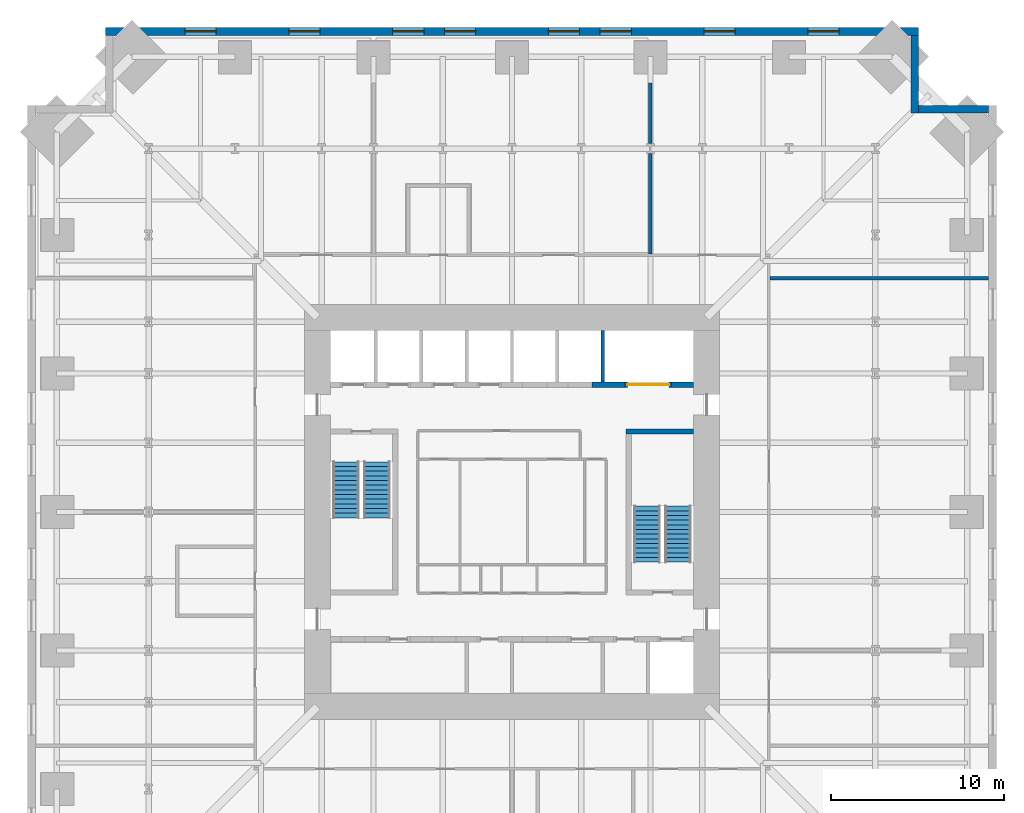
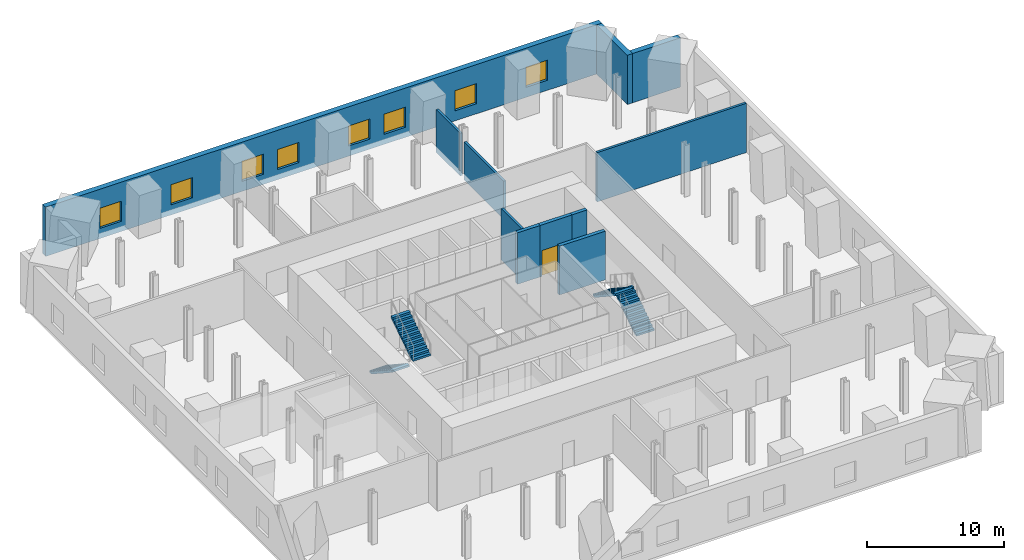
# One storey, part 7 of 8: 11 walls, 8 windows, 4 stair flights, 1 door, 9 openings, 2 elements without a shape of their own.
"""IFC4 building model written with IfcOpenShell, lengths in metres."""

from ifc_helpers import new_model, si_unit, direction, frame, frame_2d, origin, place, context, subcontext, project, spatial, polyline, rectangle, outline, extrude, material, layer, layer_set, type_object, element, fill, aggregate, save


model = new_model("IFC4")

# Units and contexts
model_context = context("Model", 3, precision=1e-05, world=origin(), true_north=direction((0.0, 1.0)))
body_context = subcontext(model_context, "Body", "Model", "MODEL_VIEW")
ifc_project = project(units=[si_unit("LENGTHUNIT", "METRE"), si_unit("AREAUNIT", "SQUARE_METRE"), si_unit("VOLUMEUNIT", "CUBIC_METRE"), si_unit("PLANEANGLEUNIT", "RADIAN"), si_unit("MASSUNIT", "GRAM", prefix="KILO")], contexts=[model_context])

# Site, building, storey
site_placement = place(None, origin())
site = spatial("IfcSite", under=ifc_project, at=site_placement, CompositionType="ELEMENT")
building_placement = place(site_placement, origin())
building = spatial("IfcBuilding", under=site, at=building_placement, Name="Peilmerk Tower", CompositionType="ELEMENT")
storey_placement = place(building_placement, frame((0.0, 0.0, 113.60009765625)))
storey = spatial("IfcBuildingStorey", under=building, at=storey_placement, Name="L22", CompositionType="ELEMENT", Elevation=113.60009765625)

# Wall, openings, windows
ifc_material_1 = material(Name="Precast concrete C45/55, board-marked finish", Category="concrete")
ifc_layer_1 = layer(ifc_material_1, 0.449951171875)
ifc_layer_set_1 = layer_set([ifc_layer_1], Name="Precast concrete C45/55, board-marked finish")
wall_type_1 = type_object("IfcWallType", Name="EW1 450 precast concrete facade wall, board-marked", PredefinedType="SOLIDWALL", material=ifc_layer_set_1)
wall_1_placement = place(storey_placement, frame((23.5, 27.77490234375, 0.0), z_axis=(0.0, 0.0, 1.0), x_axis=(-1.0, 0.0, 0.0)))
wall_1 = element("IfcWall", 1, at=wall_1_placement, inside=storey, type_object=wall_type_1, Name="Facade wall N L22", PredefinedType="SOLIDWALL", context=body_context, shape_type="SweptSolid", body=[
    extrude(rectangle(XDim=47.0, YDim=0.449951171875, at=frame_2d((23.5, 0.0))), origin(), (0.0, 0.0, 1.0), 4.39990234375),
])
opening_1_placement = place(wall_1_placement, frame((4.60009765625, 0.0, 0.89990234375)))
opening_1 = element("IfcOpeningElement", 2, at=opening_1_placement, cuts=wall_1, Name="Opening W3", PredefinedType="OPENING", context=body_context, shape_type="SweptSolid", body=[
    extrude(rectangle(XDim=1.800048828125, YDim=1.800048828125, at=frame_2d((0.89990234375, 0.89990234375))), frame((0.0, 0.23486328125, 0.0), z_axis=(0.0, -1.0, 0.0), x_axis=(1.0, 0.0, 0.0)), (0.0, 0.0, 1.0), 0.469970703125),
])
opening_2_placement = place(wall_1_placement, frame((10.60009765625, 0.0, 0.89990234375)))
opening_2 = element("IfcOpeningElement", 3, at=opening_2_placement, cuts=wall_1, Name="Opening W3", PredefinedType="OPENING", context=body_context, shape_type="SweptSolid", body=[
    extrude(rectangle(XDim=1.800048828125, YDim=1.800048828125, at=frame_2d((0.89990234375, 0.89990234375))), frame((0.0, 0.23486328125, 0.0), z_axis=(0.0, -1.0, 0.0), x_axis=(1.0, 0.0, 0.0)), (0.0, 0.0, 1.0), 0.469970703125),
])
opening_3_placement = place(wall_1_placement, frame((16.60009765625, 0.0, 0.89990234375)))
opening_3 = element("IfcOpeningElement", 4, at=opening_3_placement, cuts=wall_1, Name="Opening W3", PredefinedType="OPENING", context=body_context, shape_type="SweptSolid", body=[
    extrude(rectangle(XDim=1.800048828125, YDim=1.800048828125, at=frame_2d((0.89990234375, 0.89990234375))), frame((0.0, 0.23486328125, 0.0), z_axis=(0.0, -1.0, 0.0), x_axis=(1.0, 0.0, 0.0)), (0.0, 0.0, 1.0), 0.469970703125),
])
opening_4_placement = place(wall_1_placement, frame((19.60009765625, 0.0, 0.89990234375)))
opening_4 = element("IfcOpeningElement", 5, at=opening_4_placement, cuts=wall_1, Name="Opening W3", PredefinedType="OPENING", context=body_context, shape_type="SweptSolid", body=[
    extrude(rectangle(XDim=1.800048828125, YDim=1.800048828125, at=frame_2d((0.89990234375, 0.89990234375))), frame((0.0, 0.23486328125, 0.0), z_axis=(0.0, -1.0, 0.0), x_axis=(1.0, 0.0, 0.0)), (0.0, 0.0, 1.0), 0.469970703125),
])
opening_5_placement = place(wall_1_placement, frame((25.60009765625, 0.0, 0.89990234375)))
opening_5 = element("IfcOpeningElement", 6, at=opening_5_placement, cuts=wall_1, Name="Opening W3", PredefinedType="OPENING", context=body_context, shape_type="SweptSolid", body=[
    extrude(rectangle(XDim=1.800048828125, YDim=1.800048828125, at=frame_2d((0.89990234375, 0.89990234375))), frame((0.0, 0.23486328125, 0.0), z_axis=(0.0, -1.0, 0.0), x_axis=(1.0, 0.0, 0.0)), (0.0, 0.0, 1.0), 0.469970703125),
])
opening_6_placement = place(wall_1_placement, frame((28.60009765625, 0.0, 0.89990234375)))
opening_6 = element("IfcOpeningElement", 7, at=opening_6_placement, cuts=wall_1, Name="Opening W3", PredefinedType="OPENING", context=body_context, shape_type="SweptSolid", body=[
    extrude(rectangle(XDim=1.800048828125, YDim=1.800048828125, at=frame_2d((0.89990234375, 0.89990234375))), frame((0.0, 0.23486328125, 0.0), z_axis=(0.0, -1.0, 0.0), x_axis=(1.0, 0.0, 0.0)), (0.0, 0.0, 1.0), 0.469970703125),
])
opening_7_placement = place(wall_1_placement, frame((34.60009765625, 0.0, 0.89990234375)))
opening_7 = element("IfcOpeningElement", 8, at=opening_7_placement, cuts=wall_1, Name="Opening W3", PredefinedType="OPENING", context=body_context, shape_type="SweptSolid", body=[
    extrude(rectangle(XDim=1.800048828125, YDim=1.800048828125, at=frame_2d((0.89990234375, 0.89990234375))), frame((0.0, 0.23486328125, 0.0), z_axis=(0.0, -1.0, 0.0), x_axis=(1.0, 0.0, 0.0)), (0.0, 0.0, 1.0), 0.469970703125),
])
opening_8_placement = place(wall_1_placement, frame((40.60009765625, 0.0, 0.89990234375)))
opening_8 = element("IfcOpeningElement", 9, at=opening_8_placement, cuts=wall_1, Name="Opening W3", PredefinedType="OPENING", context=body_context, shape_type="SweptSolid", body=[
    extrude(rectangle(XDim=1.800048828125, YDim=1.800048828125, at=frame_2d((0.89990234375, 0.89990234375))), frame((0.0, 0.23486328125, 0.0), z_axis=(0.0, -1.0, 0.0), x_axis=(1.0, 0.0, 0.0)), (0.0, 0.0, 1.0), 0.469970703125),
])
ifc_material_2 = material(Name="Aluminium frame, clear double glazing", Category="aluminium")
window_type = type_object("IfcWindowType", Name="W3 1800x1800 telecom floor window", PartitioningType="SINGLE_PANEL", PredefinedType="WINDOW", material=ifc_material_2)
window_1_placement = place(opening_1_placement, origin())
window_1 = element("IfcWindow", 10, at=window_1_placement, inside=storey, type_object=window_type, Name="Window W3 L22", OverallHeight=1.800048828125, OverallWidth=1.800048828125, PartitioningType="SINGLE_PANEL", PredefinedType="WINDOW", context=body_context, shape_type="SweptSolid", body=[
    extrude(rectangle(XDim=1.800048828125, YDim=1.800048828125, at=frame_2d((0.89990234375, 0.89990234375))), frame((0.0, 0.030029296875, 0.0), z_axis=(0.0, -1.0, 0.0), x_axis=(1.0, 0.0, 0.0)), (0.0, 0.0, 1.0), 0.06005859375),
])
fill(opening_1, window_1)
window_2_placement = place(opening_2_placement, origin())
window_2 = element("IfcWindow", 11, at=window_2_placement, inside=storey, type_object=window_type, Name="Window W3 L22", OverallHeight=1.800048828125, OverallWidth=1.800048828125, PartitioningType="SINGLE_PANEL", PredefinedType="WINDOW", context=body_context, shape_type="SweptSolid", body=[
    extrude(rectangle(XDim=1.800048828125, YDim=1.800048828125, at=frame_2d((0.89990234375, 0.89990234375))), frame((0.0, 0.030029296875, 0.0), z_axis=(0.0, -1.0, 0.0), x_axis=(1.0, 0.0, 0.0)), (0.0, 0.0, 1.0), 0.06005859375),
])
fill(opening_2, window_2)
window_3_placement = place(opening_3_placement, origin())
window_3 = element("IfcWindow", 12, at=window_3_placement, inside=storey, type_object=window_type, Name="Window W3 L22", OverallHeight=1.800048828125, OverallWidth=1.800048828125, PartitioningType="SINGLE_PANEL", PredefinedType="WINDOW", context=body_context, shape_type="SweptSolid", body=[
    extrude(rectangle(XDim=1.800048828125, YDim=1.800048828125, at=frame_2d((0.89990234375, 0.89990234375))), frame((0.0, 0.030029296875, 0.0), z_axis=(0.0, -1.0, 0.0), x_axis=(1.0, 0.0, 0.0)), (0.0, 0.0, 1.0), 0.06005859375),
])
fill(opening_3, window_3)
window_4_placement = place(opening_4_placement, origin())
window_4 = element("IfcWindow", 13, at=window_4_placement, inside=storey, type_object=window_type, Name="Window W3 L22", OverallHeight=1.800048828125, OverallWidth=1.800048828125, PartitioningType="SINGLE_PANEL", PredefinedType="WINDOW", context=body_context, shape_type="SweptSolid", body=[
    extrude(rectangle(XDim=1.800048828125, YDim=1.800048828125, at=frame_2d((0.89990234375, 0.89990234375))), frame((0.0, 0.030029296875, 0.0), z_axis=(0.0, -1.0, 0.0), x_axis=(1.0, 0.0, 0.0)), (0.0, 0.0, 1.0), 0.06005859375),
])
fill(opening_4, window_4)
window_5_placement = place(opening_5_placement, origin())
window_5 = element("IfcWindow", 14, at=window_5_placement, inside=storey, type_object=window_type, Name="Window W3 L22", OverallHeight=1.800048828125, OverallWidth=1.800048828125, PartitioningType="SINGLE_PANEL", PredefinedType="WINDOW", context=body_context, shape_type="SweptSolid", body=[
    extrude(rectangle(XDim=1.800048828125, YDim=1.800048828125, at=frame_2d((0.89990234375, 0.89990234375))), frame((0.0, 0.030029296875, 0.0), z_axis=(0.0, -1.0, 0.0), x_axis=(1.0, 0.0, 0.0)), (0.0, 0.0, 1.0), 0.06005859375),
])
fill(opening_5, window_5)
window_6_placement = place(opening_6_placement, origin())
window_6 = element("IfcWindow", 15, at=window_6_placement, inside=storey, type_object=window_type, Name="Window W3 L22", OverallHeight=1.800048828125, OverallWidth=1.800048828125, PartitioningType="SINGLE_PANEL", PredefinedType="WINDOW", context=body_context, shape_type="SweptSolid", body=[
    extrude(rectangle(XDim=1.800048828125, YDim=1.800048828125, at=frame_2d((0.89990234375, 0.89990234375))), frame((0.0, 0.030029296875, 0.0), z_axis=(0.0, -1.0, 0.0), x_axis=(1.0, 0.0, 0.0)), (0.0, 0.0, 1.0), 0.06005859375),
])
fill(opening_6, window_6)
window_7_placement = place(opening_7_placement, origin())
window_7 = element("IfcWindow", 16, at=window_7_placement, inside=storey, type_object=window_type, Name="Window W3 L22", OverallHeight=1.800048828125, OverallWidth=1.800048828125, PartitioningType="SINGLE_PANEL", PredefinedType="WINDOW", context=body_context, shape_type="SweptSolid", body=[
    extrude(rectangle(XDim=1.800048828125, YDim=1.800048828125, at=frame_2d((0.89990234375, 0.89990234375))), frame((0.0, 0.030029296875, 0.0), z_axis=(0.0, -1.0, 0.0), x_axis=(1.0, 0.0, 0.0)), (0.0, 0.0, 1.0), 0.06005859375),
])
fill(opening_7, window_7)
window_8_placement = place(opening_8_placement, origin())
window_8 = element("IfcWindow", 17, at=window_8_placement, inside=storey, type_object=window_type, Name="Window W3 L22", OverallHeight=1.800048828125, OverallWidth=1.800048828125, PartitioningType="SINGLE_PANEL", PredefinedType="WINDOW", context=body_context, shape_type="SweptSolid", body=[
    extrude(rectangle(XDim=1.800048828125, YDim=1.800048828125, at=frame_2d((0.89990234375, 0.89990234375))), frame((0.0, 0.030029296875, 0.0), z_axis=(0.0, -1.0, 0.0), x_axis=(1.0, 0.0, 0.0)), (0.0, 0.0, 1.0), 0.06005859375),
])
fill(opening_8, window_8)

# Walls
wall_2_placement = place(storey_placement, frame((23.27490234375, 23.050048828125, 0.0), z_axis=(0.0, 0.0, 1.0), x_axis=(0.0, 1.0, 0.0)))
element("IfcWall", 18, at=wall_2_placement, inside=storey, type_object=wall_type_1, Name="Facade wall NEA L22", PredefinedType="SOLIDWALL", context=body_context, shape_type="SweptSolid", body=[
    extrude(rectangle(XDim=4.5, YDim=0.449951171875, at=frame_2d((2.25, 0.0))), origin(), (0.0, 0.0, 1.0), 4.39990234375),
])
wall_3_placement = place(storey_placement, frame((23.5, 23.27490234375, 0.0), z_axis=(0.0, 0.0, 1.0), x_axis=(1.0, 0.0, 0.0)))
element("IfcWall", 19, at=wall_3_placement, inside=storey, type_object=wall_type_1, Name="Facade wall NEB L22", PredefinedType="SOLIDWALL", context=body_context, shape_type="SweptSolid", body=[
    extrude(rectangle(XDim=4.050048828125, YDim=0.449951171875, at=frame_2d((2.02490234375, 0.0))), origin(), (0.0, 0.0, 1.0), 4.39990234375),
])
ifc_material_3 = material(Name="Calcium silicate block", Category="masonry")
ifc_layer_2 = layer(ifc_material_3, 0.199951171875)
ifc_layer_set_2 = layer_set([ifc_layer_2], Name="Calcium silicate block")
wall_type_2 = type_object("IfcWallType", Name="IW2 200 room separating wall, EI 120", PredefinedType="PARTITIONING", material=ifc_layer_set_2)
wall_4_placement = place(storey_placement, frame((14.925048828125, 13.5, 0.0), z_axis=(0.0, 0.0, 1.0), x_axis=(1.0, 0.0, 0.0)))
element("IfcWall", 20, at=wall_4_placement, inside=storey, type_object=wall_type_2, Name="Room separating wall NE L22", PredefinedType="PARTITIONING", context=body_context, shape_type="SweptSolid", body=[
    extrude(rectangle(XDim=12.625, YDim=0.199951171875, at=frame_2d((6.3125, 0.0))), origin(), (0.0, 0.0, 1.0), 4.39990234375),
])
wall_5_placement = place(storey_placement, frame((8.0, 14.925048828125, 0.0), z_axis=(0.0, 0.0, 1.0), x_axis=(0.0, 1.0, 0.0)))
element("IfcWall", 21, at=wall_5_placement, inside=storey, type_object=wall_type_2, Name="Room separating wall N2 L22", PredefinedType="PARTITIONING", context=body_context, shape_type="SweptSolid", body=[
    extrude(rectangle(XDim=5.79052734375, YDim=0.199951171875, at=frame_2d((2.895263671875, 0.0))), origin(), (0.0, 0.0, 1.0), 3.391845703125),
])
wall_6_placement = place(storey_placement, frame((8.0, 21.284423828125, 0.0), z_axis=(0.0, 0.0, 1.0), x_axis=(0.0, 1.0, 0.0)))
element("IfcWall", 22, at=wall_6_placement, inside=storey, type_object=wall_type_2, Name="Room separating wall N2b L22", PredefinedType="PARTITIONING", context=body_context, shape_type="SweptSolid", body=[
    extrude(rectangle(XDim=3.502685546875, YDim=0.199951171875, at=frame_2d((1.75146484375, 0.0))), origin(), (0.0, 0.0, 1.0), 3.809814453125),
])
ifc_material_4 = material(Name="Concrete C35/45", Category="concrete")
ifc_layer_3 = layer(ifc_material_4, 0.300048828125)
ifc_layer_set_3 = layer_set([ifc_layer_3], Name="Concrete C35/45")
wall_type_3 = type_object("IfcWallType", Name="IW3 300 concrete stair enclosure wall, EI 120", PredefinedType="SOLIDWALL", material=ifc_layer_set_3)
wall_7_placement = place(storey_placement, frame((6.60009765625, 4.64990234375, 0.0), z_axis=(0.0, 0.0, 1.0), x_axis=(1.0, 0.0, 0.0)))
element("IfcWall", 23, at=wall_7_placement, inside=storey, type_object=wall_type_3, Name="Stair 2 enclosure L22", PredefinedType="SOLIDWALL", context=body_context, shape_type="SweptSolid", body=[
    extrude(rectangle(XDim=3.89990234375, YDim=0.300048828125, at=frame_2d((1.949951171875, 0.0))), origin(), (0.0, 0.0, 1.0), 4.349853515625),
])
ifc_layer_4 = layer(ifc_material_3, 0.199951171875)
ifc_layer_set_4 = layer_set([ifc_layer_4], Name="Calcium silicate block")
wall_type_4 = type_object("IfcWallType", Name="SH1 200 shaft dividing wall, EI 120", PredefinedType="PARTITIONING", material=ifc_layer_set_4)
wall_8_placement = place(storey_placement, frame((5.25, 7.5, 0.0), z_axis=(0.0, 0.0, 1.0), x_axis=(0.0, 1.0, 0.0)))
element("IfcWall", 24, at=wall_8_placement, inside=storey, type_object=wall_type_4, Name="Shaft wall N S2 L22", PredefinedType="PARTITIONING", context=body_context, shape_type="SweptSolid", body=[
    extrude(rectangle(XDim=3.0, YDim=0.199951171875, at=frame_2d((1.5, 0.0))), origin(), (0.0, 0.0, 1.0), 4.599853515625),
])

# Wall, opening, door
ifc_layer_5 = layer(ifc_material_3, 0.300048828125)
ifc_layer_set_5 = layer_set([ifc_layer_5], Name="Calcium silicate block")
wall_type_5 = type_object("IfcWallType", Name="SH2 300 lift landing door panel, EI 120", PredefinedType="PARTITIONING", material=ifc_layer_set_5)
wall_9_placement = place(storey_placement, frame((6.52490234375, 7.35009765625, 0.0), z_axis=(0.0, 0.0, 1.0), x_axis=(1.0, 0.0, 0.0)))
wall_9 = element("IfcWall", 25, at=wall_9_placement, inside=storey, type_object=wall_type_5, Name="Lift door panel N GL1 L22", PredefinedType="PARTITIONING", context=body_context, shape_type="SweptSolid", body=[
    extrude(rectangle(XDim=2.7001953125, YDim=0.300048828125, at=frame_2d((1.35009765625, 0.0))), origin(), (0.0, 0.0, 1.0), 4.599853515625),
])
opening_9_placement = place(wall_9_placement, frame((0.14990234375, 0.0, 0.0)))
opening_9 = element("IfcOpeningElement", 26, at=opening_9_placement, cuts=wall_9, Name="Opening LD3", PredefinedType="OPENING", context=body_context, shape_type="SweptSolid", body=[
    extrude(rectangle(XDim=2.39990234375, YDim=2.300048828125, at=frame_2d((1.199951171875, 1.14990234375))), frame((0.0, 0.159912109375, 0.0), z_axis=(0.0, -1.0, 0.0), x_axis=(1.0, 0.0, 0.0)), (0.0, 0.0, 1.0), 0.320068359375),
])
ifc_material_5 = material(Name="Stainless steel landing door", Category="steel")
door_type = type_object("IfcDoorType", Name="LD3 2400x2300 lift landing door, sliding, EI2 60", OperationType="SLIDING_TO_LEFT", PredefinedType="DOOR", material=ifc_material_5)
door_placement = place(opening_9_placement, frame((2.39990234375, 0.0, 0.0), z_axis=(0.0, 0.0, 1.0), x_axis=(-1.0, 0.0, 0.0)))
door = element("IfcDoor", 27, at=door_placement, inside=storey, type_object=door_type, Name="Lift landing door GL1 L22", OperationType="SLIDING_TO_LEFT", OverallHeight=2.300048828125, OverallWidth=2.39990234375, PredefinedType="DOOR", context=body_context, shape_type="SweptSolid", body=[
    extrude(rectangle(XDim=2.39990234375, YDim=2.300048828125, at=frame_2d((1.199951171875, 1.14990234375))), frame((0.0, 0.02490234375, 0.0), z_axis=(0.0, -1.0, 0.0), x_axis=(1.0, 0.0, 0.0)), (0.0, 0.0, 1.0), 0.050048828125),
])
fill(opening_9, door)

# Walls
ifc_material_6 = material(Name="Concrete C55/67", Category="concrete")
ifc_layer_6 = layer(ifc_material_6, 0.300048828125)
ifc_layer_set_6 = layer_set([ifc_layer_6], Name="Concrete C55/67")
wall_type_6 = type_object("IfcWallType", Name="SW2 300 lift bank pier", PredefinedType="SHEAR", material=ifc_layer_set_6)
wall_10_placement = place(storey_placement, frame((4.637451171875, 7.35009765625, 0.0), z_axis=(0.0, 0.0, 1.0), x_axis=(1.0, 0.0, 0.0)))
element("IfcWall", 28, at=wall_10_placement, inside=storey, type_object=wall_type_6, Name="Lift bank pier N L22", PredefinedType="SHEAR", context=body_context, shape_type="SweptSolid", body=[
    extrude(rectangle(XDim=1.887451171875, YDim=0.300048828125, at=frame_2d((0.94384765625, 0.0))), origin(), (0.0, 0.0, 1.0), 4.599853515625),
])
wall_11_placement = place(storey_placement, frame((9.22509765625, 7.35009765625, 0.0), z_axis=(0.0, 0.0, 1.0), x_axis=(1.0, 0.0, 0.0)))
element("IfcWall", 29, at=wall_11_placement, inside=storey, type_object=wall_type_6, Name="Lift bank pier N L22", PredefinedType="SHEAR", context=body_context, shape_type="SweptSolid", body=[
    extrude(rectangle(XDim=1.27490234375, YDim=0.300048828125, at=frame_2d((0.637451171875, 0.0))), origin(), (0.0, 0.0, 1.0), 4.599853515625),
])

# Stair, stair flights
ifc_material_7 = material(Name="Precast concrete C45/55", Category="concrete")
stair_type_1 = type_object("IfcStairType", Name="ST1 26 risers of 176.9", PredefinedType="HALF_TURN_STAIR", material=ifc_material_7)
stair_1_placement = place(storey_placement, origin())
stair_1 = element("IfcStair", 30, at=stair_1_placement, inside=storey, type_object=stair_type_1, Name="Stair 1 L22 to L23", PredefinedType="HALF_TURN_STAIR")
stair_flight_type = type_object("IfcStairFlightType", Name="SF13 flight, 13 risers of 176.9", PredefinedType="STRAIGHT", material=ifc_material_7)
stair_flight_1_placement = place(storey_placement, frame((-9.60009765625, 2.89990234375, 0.0), z_axis=(0.0, 0.0, 1.0), x_axis=(0.0, -1.0, 0.0)))
stair_flight_1 = element("IfcStairFlight", 31, at=stair_flight_1_placement, type_object=stair_flight_type, Name="ST1 flight 1", NumberOfRisers=13, NumberOfTreads=12, PredefinedType="STRAIGHT", RiserHeight=0.176923077, TreadLength=0.27, context=body_context, shape_type="SweptSolid", body=[
    extrude(outline(polyline([(0.0, 0.0), (0.0, 0.177001953125), (0.27001953125, 0.177001953125), (0.27001953125, 0.353759765625), (0.5400390625, 0.353759765625), (0.5400390625, 0.53076171875), (0.81005859375, 0.53076171875), (0.81005859375, 0.707763671875), (1.080078125, 0.707763671875), (1.080078125, 0.884521484375), (1.35009765625, 0.884521484375), (1.35009765625, 1.0615234375), (1.6201171875, 1.0615234375), (1.6201171875, 1.238525390625), (1.889892578125, 1.238525390625), (1.889892578125, 1.415283203125), (2.159912109375, 1.415283203125), (2.159912109375, 1.59228515625), (2.429931640625, 1.59228515625), (2.429931640625, 1.769287109375), (2.699951171875, 1.769287109375), (2.699951171875, 1.946044921875), (2.969970703125, 1.946044921875), (2.969970703125, 2.123046875), (3.239990234375, 2.123046875), (3.239990234375, 2.300048828125), (3.239990234375, 1.94384765625), (0.2734375, 0.0), (0.0, 0.0)])), frame((0.0, 0.75, 0.0), z_axis=(0.0, -1.0, 0.0), x_axis=(1.0, 0.0, 0.0)), (0.0, 0.0, 1.0), 1.5),
])
stair_flight_2_placement = place(storey_placement, frame((-7.800048828125, -0.340087890625, 2.2998046875), z_axis=(0.0, 0.0, 1.0), x_axis=(0.0, 1.0, 0.0)))
stair_flight_2 = element("IfcStairFlight", 32, at=stair_flight_2_placement, type_object=stair_flight_type, Name="ST1 flight 2", NumberOfRisers=13, NumberOfTreads=12, PredefinedType="STRAIGHT", RiserHeight=0.176923077, TreadLength=0.27, context=body_context, shape_type="SweptSolid", body=[
    extrude(outline(polyline([(0.0, 0.0), (0.0, 0.177001953125), (0.27001953125, 0.177001953125), (0.27001953125, 0.353759765625), (0.5400390625, 0.353759765625), (0.5400390625, 0.53076171875), (0.81005859375, 0.53076171875), (0.81005859375, 0.707763671875), (1.080078125, 0.707763671875), (1.080078125, 0.884521484375), (1.35009765625, 0.884521484375), (1.35009765625, 1.0615234375), (1.6201171875, 1.0615234375), (1.6201171875, 1.238525390625), (1.889892578125, 1.238525390625), (1.889892578125, 1.415283203125), (2.159912109375, 1.415283203125), (2.159912109375, 1.59228515625), (2.429931640625, 1.59228515625), (2.429931640625, 1.769287109375), (2.699951171875, 1.769287109375), (2.699951171875, 1.946044921875), (2.969970703125, 1.946044921875), (2.969970703125, 2.123046875), (3.239990234375, 2.123046875), (3.239990234375, 2.300048828125), (3.239990234375, 1.94384765625), (0.2734375, 0.0), (0.0, 0.0)])), frame((0.0, 0.75, 0.0), z_axis=(0.0, -1.0, 0.0), x_axis=(1.0, 0.0, 0.0)), (0.0, 0.0, 1.0), 1.5),
])
aggregate(stair_1, [stair_flight_1, stair_flight_2])

stair_type_2 = type_object("IfcStairType", Name="ST2 26 risers of 176.9", PredefinedType="HALF_TURN_STAIR", material=ifc_material_7)
stair_2_placement = place(storey_placement, origin())
stair_2 = element("IfcStair", 33, at=stair_2_placement, inside=storey, type_object=stair_type_2, Name="Stair 2 L22 to L23", PredefinedType="HALF_TURN_STAIR")
stair_flight_3_placement = place(storey_placement, frame((9.60009765625, -2.89990234375, 0.0), z_axis=(0.0, 0.0, 1.0), x_axis=(0.0, 1.0, 0.0)))
stair_flight_3 = element("IfcStairFlight", 34, at=stair_flight_3_placement, type_object=stair_flight_type, Name="ST2 flight 1", NumberOfRisers=13, NumberOfTreads=12, PredefinedType="STRAIGHT", RiserHeight=0.176923077, TreadLength=0.27, context=body_context, shape_type="SweptSolid", body=[
    extrude(outline(polyline([(0.0, 0.0), (0.0, 0.177001953125), (0.27001953125, 0.177001953125), (0.27001953125, 0.353759765625), (0.5400390625, 0.353759765625), (0.5400390625, 0.53076171875), (0.81005859375, 0.53076171875), (0.81005859375, 0.707763671875), (1.080078125, 0.707763671875), (1.080078125, 0.884521484375), (1.35009765625, 0.884521484375), (1.35009765625, 1.0615234375), (1.6201171875, 1.0615234375), (1.6201171875, 1.238525390625), (1.889892578125, 1.238525390625), (1.889892578125, 1.415283203125), (2.159912109375, 1.415283203125), (2.159912109375, 1.59228515625), (2.429931640625, 1.59228515625), (2.429931640625, 1.769287109375), (2.699951171875, 1.769287109375), (2.699951171875, 1.946044921875), (2.969970703125, 1.946044921875), (2.969970703125, 2.123046875), (3.239990234375, 2.123046875), (3.239990234375, 2.300048828125), (3.239990234375, 1.94384765625), (0.2734375, 0.0), (0.0, 0.0)])), frame((0.0, 0.75, 0.0), z_axis=(0.0, -1.0, 0.0), x_axis=(1.0, 0.0, 0.0)), (0.0, 0.0, 1.0), 1.5),
])
stair_flight_4_placement = place(storey_placement, frame((7.800048828125, 0.340087890625, 2.2998046875), z_axis=(0.0, 0.0, 1.0), x_axis=(0.0, -1.0, 0.0)))
stair_flight_4 = element("IfcStairFlight", 35, at=stair_flight_4_placement, type_object=stair_flight_type, Name="ST2 flight 2", NumberOfRisers=13, NumberOfTreads=12, PredefinedType="STRAIGHT", RiserHeight=0.176923077, TreadLength=0.27, context=body_context, shape_type="SweptSolid", body=[
    extrude(outline(polyline([(0.0, 0.0), (0.0, 0.177001953125), (0.27001953125, 0.177001953125), (0.27001953125, 0.353759765625), (0.5400390625, 0.353759765625), (0.5400390625, 0.53076171875), (0.81005859375, 0.53076171875), (0.81005859375, 0.707763671875), (1.080078125, 0.707763671875), (1.080078125, 0.884521484375), (1.35009765625, 0.884521484375), (1.35009765625, 1.0615234375), (1.6201171875, 1.0615234375), (1.6201171875, 1.238525390625), (1.889892578125, 1.238525390625), (1.889892578125, 1.415283203125), (2.159912109375, 1.415283203125), (2.159912109375, 1.59228515625), (2.429931640625, 1.59228515625), (2.429931640625, 1.769287109375), (2.699951171875, 1.769287109375), (2.699951171875, 1.946044921875), (2.969970703125, 1.946044921875), (2.969970703125, 2.123046875), (3.239990234375, 2.123046875), (3.239990234375, 2.300048828125), (3.239990234375, 1.94384765625), (0.2734375, 0.0), (0.0, 0.0)])), frame((0.0, 0.75, 0.0), z_axis=(0.0, -1.0, 0.0), x_axis=(1.0, 0.0, 0.0)), (0.0, 0.0, 1.0), 1.5),
])
aggregate(stair_2, [stair_flight_3, stair_flight_4])

save(model, "model.ifc")
